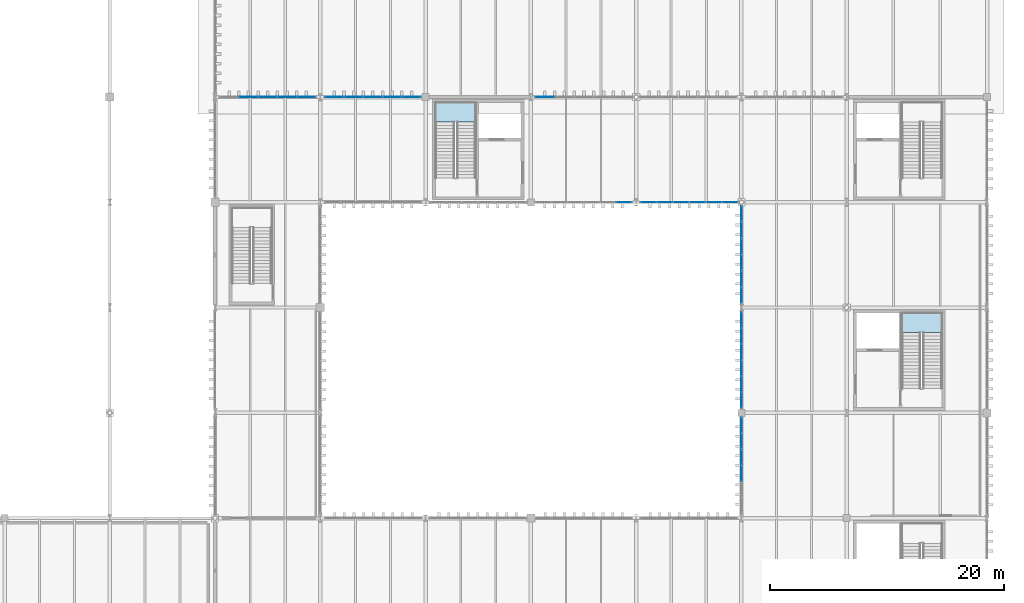
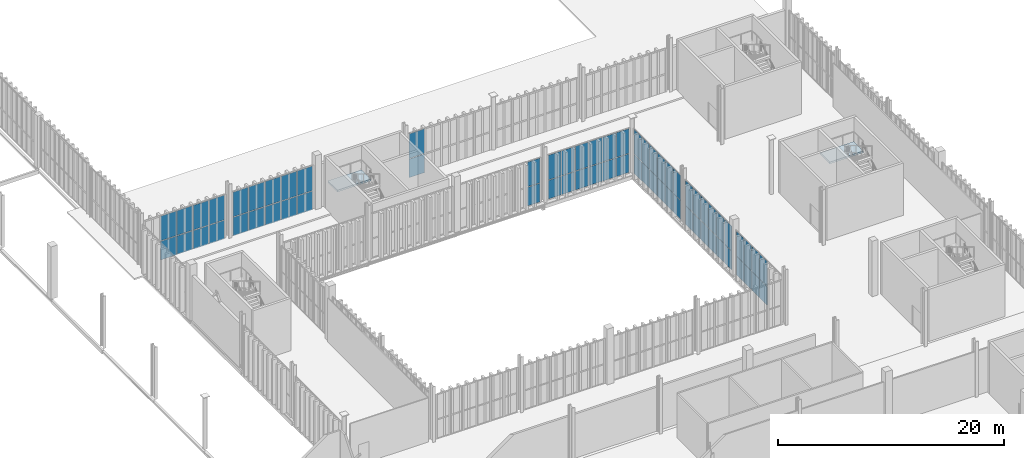
# One storey, part 193 of 237: 66 plates, 2 slabs, 10 elements without a shape of their own.
"""IFC4 building model written with IfcOpenShell, lengths in metres."""

from ifc_helpers import new_model, si_unit, direction, frame, origin, origin_2d, place, context, subcontext, project, spatial, polyline, rectangle, outline, extrude, material, layer, layer_set, type_object, element, aggregate, save


model = new_model("IFC4")

# Units and contexts
model_context = context("Model", 3, precision=1e-05, world=origin(), true_north=direction((0.0, 1.0)))
body_context = subcontext(model_context, "Body", "Model", "MODEL_VIEW")
ifc_project = project(units=[si_unit("LENGTHUNIT", "METRE"), si_unit("AREAUNIT", "SQUARE_METRE"), si_unit("VOLUMEUNIT", "CUBIC_METRE"), si_unit("PLANEANGLEUNIT", "RADIAN"), si_unit("MASSUNIT", "GRAM", prefix="KILO")], contexts=[model_context])

# Site, building, storey
site_placement = place(None, origin())
site = spatial("IfcSite", under=ifc_project, at=site_placement, CompositionType="ELEMENT")
building_placement = place(site_placement, origin())
building = spatial("IfcBuilding", under=site, at=building_placement, Name="Barlavento Convention Centre", CompositionType="ELEMENT")
storey_placement = place(building_placement, frame((0.0, 0.0, 12.0)))
storey = spatial("IfcBuildingStorey", under=building, at=storey_placement, Name="L02", CompositionType="ELEMENT", Elevation=12.0)

# Curtain wall, plates
ifc_material_1 = material(Name="Powder-coated aluminium and Low-E glass", Category="aluminium")
ifc_layer_1 = layer(ifc_material_1, 0.195068359375)
ifc_layer_set_1 = layer_set([ifc_layer_1], Name="ARC-CW-PATIO-A")
curtain_wall_type_1 = type_object("IfcCurtainWallType", Name="ARC-CW-PATIO-A", PredefinedType="NOTDEFINED", material=ifc_layer_set_1)
curtain_wall_1_placement = place(storey_placement, origin())
curtain_wall_1 = element("IfcCurtainWall", 1, at=curtain_wall_1_placement, inside=storey, type_object=curtain_wall_type_1, Name="L02 unitised curtain wall CW11", PredefinedType="NOTDEFINED")
ifc_material_2 = material(Name="Double-silver Low-E insulated glass", Category="glass")
ifc_layer_2 = layer(ifc_material_2, 0.028076171875)
ifc_layer_set_2 = layer_set([ifc_layer_2], Name="ARC-CWP-GLZ28")
plate_type = type_object("IfcPlateType", Name="ARC-CWP-GLZ28", PredefinedType="CURTAIN_PANEL", material=ifc_layer_set_2)
plate_1_placement = place(storey_placement, frame((160.94775390625, 90.0, 0.06005859375), z_axis=(0.0, 0.0, 1.0), x_axis=(1.0, 0.0, 0.0)))
plate_1 = element("IfcPlate", 2, at=plate_1_placement, type_object=plate_type, Name="CW11 panel 6.1", PredefinedType="CURTAIN_PANEL", context=body_context, shape_type="SweptSolid", body=[
    extrude(rectangle(XDim=1.292236328125, YDim=0.028076171875, at=origin_2d()), origin(), (0.0, 0.0, 1.0), 2.010009765625),
])
plate_2_placement = place(storey_placement, frame((160.94775390625, 90.0, 2.1298828125), z_axis=(0.0, 0.0, 1.0), x_axis=(1.0, 0.0, 0.0)))
plate_2 = element("IfcPlate", 3, at=plate_2_placement, type_object=plate_type, Name="CW11 panel 6.2", PredefinedType="CURTAIN_PANEL", context=body_context, shape_type="SweptSolid", body=[
    extrude(rectangle(XDim=1.292236328125, YDim=0.028076171875, at=origin_2d()), origin(), (0.0, 0.0, 1.0), 2.659912109375),
])
aggregate(curtain_wall_1, [plate_1, plate_2])

curtain_wall_2_placement = place(storey_placement, origin())
curtain_wall_2 = element("IfcCurtainWall", 4, at=curtain_wall_2_placement, inside=storey, type_object=curtain_wall_type_1, Name="L02 unitised curtain wall CW11", PredefinedType="NOTDEFINED")
plate_3_placement = place(storey_placement, frame((163.060302734375, 90.0, 0.06005859375), z_axis=(0.0, 0.0, 1.0), x_axis=(1.0, 0.0, 0.0)))
plate_3 = element("IfcPlate", 5, at=plate_3_placement, type_object=plate_type, Name="CW11 panel 1.1", PredefinedType="CURTAIN_PANEL", context=body_context, shape_type="SweptSolid", body=[
    extrude(rectangle(XDim=1.308349609375, YDim=0.028076171875, at=origin_2d()), origin(), (0.0, 0.0, 1.0), 2.010009765625),
])
plate_4_placement = place(storey_placement, frame((163.060302734375, 90.0, 2.1298828125), z_axis=(0.0, 0.0, 1.0), x_axis=(1.0, 0.0, 0.0)))
plate_4 = element("IfcPlate", 6, at=plate_4_placement, type_object=plate_type, Name="CW11 panel 1.2", PredefinedType="CURTAIN_PANEL", context=body_context, shape_type="SweptSolid", body=[
    extrude(rectangle(XDim=1.308349609375, YDim=0.028076171875, at=origin_2d()), origin(), (0.0, 0.0, 1.0), 2.659912109375),
])
plate_5_placement = place(storey_placement, frame((164.443603515625, 90.0, 0.06005859375), z_axis=(0.0, 0.0, 1.0), x_axis=(1.0, 0.0, 0.0)))
plate_5 = element("IfcPlate", 7, at=plate_5_placement, type_object=plate_type, Name="CW11 panel 2.1", PredefinedType="CURTAIN_PANEL", context=body_context, shape_type="SweptSolid", body=[
    extrude(rectangle(XDim=1.33837890625, YDim=0.028076171875, at=origin_2d()), origin(), (0.0, 0.0, 1.0), 2.010009765625),
])
plate_6_placement = place(storey_placement, frame((164.443603515625, 90.0, 2.1298828125), z_axis=(0.0, 0.0, 1.0), x_axis=(1.0, 0.0, 0.0)))
plate_6 = element("IfcPlate", 8, at=plate_6_placement, type_object=plate_type, Name="CW11 panel 2.2", PredefinedType="CURTAIN_PANEL", context=body_context, shape_type="SweptSolid", body=[
    extrude(rectangle(XDim=1.33837890625, YDim=0.028076171875, at=origin_2d()), origin(), (0.0, 0.0, 1.0), 2.659912109375),
])
plate_7_placement = place(storey_placement, frame((165.84228515625, 90.0, 0.06005859375), z_axis=(0.0, 0.0, 1.0), x_axis=(1.0, 0.0, 0.0)))
plate_7 = element("IfcPlate", 9, at=plate_7_placement, type_object=plate_type, Name="CW11 panel 3.1", PredefinedType="CURTAIN_PANEL", context=body_context, shape_type="SweptSolid", body=[
    extrude(rectangle(XDim=1.33837890625, YDim=0.028076171875, at=origin_2d()), origin(), (0.0, 0.0, 1.0), 2.010009765625),
])
plate_8_placement = place(storey_placement, frame((165.84228515625, 90.0, 2.1298828125), z_axis=(0.0, 0.0, 1.0), x_axis=(1.0, 0.0, 0.0)))
plate_8 = element("IfcPlate", 10, at=plate_8_placement, type_object=plate_type, Name="CW11 panel 3.2", PredefinedType="CURTAIN_PANEL", context=body_context, shape_type="SweptSolid", body=[
    extrude(rectangle(XDim=1.33837890625, YDim=0.028076171875, at=origin_2d()), origin(), (0.0, 0.0, 1.0), 2.659912109375),
])
plate_9_placement = place(storey_placement, frame((167.24072265625, 90.0, 0.06005859375), z_axis=(0.0, 0.0, 1.0), x_axis=(1.0, 0.0, 0.0)))
plate_9 = element("IfcPlate", 11, at=plate_9_placement, type_object=plate_type, Name="CW11 panel 4.1", PredefinedType="CURTAIN_PANEL", context=body_context, shape_type="SweptSolid", body=[
    extrude(rectangle(XDim=1.33837890625, YDim=0.028076171875, at=origin_2d()), origin(), (0.0, 0.0, 1.0), 2.010009765625),
])
plate_10_placement = place(storey_placement, frame((167.24072265625, 90.0, 2.1298828125), z_axis=(0.0, 0.0, 1.0), x_axis=(1.0, 0.0, 0.0)))
plate_10 = element("IfcPlate", 12, at=plate_10_placement, type_object=plate_type, Name="CW11 panel 4.2", PredefinedType="CURTAIN_PANEL", context=body_context, shape_type="SweptSolid", body=[
    extrude(rectangle(XDim=1.33837890625, YDim=0.028076171875, at=origin_2d()), origin(), (0.0, 0.0, 1.0), 2.659912109375),
])
plate_11_placement = place(storey_placement, frame((168.63916015625, 90.0, 0.06005859375), z_axis=(0.0, 0.0, 1.0), x_axis=(1.0, 0.0, 0.0)))
plate_11 = element("IfcPlate", 13, at=plate_11_placement, type_object=plate_type, Name="CW11 panel 5.1", PredefinedType="CURTAIN_PANEL", context=body_context, shape_type="SweptSolid", body=[
    extrude(rectangle(XDim=1.33837890625, YDim=0.028076171875, at=origin_2d()), origin(), (0.0, 0.0, 1.0), 2.010009765625),
])
plate_12_placement = place(storey_placement, frame((168.63916015625, 90.0, 2.1298828125), z_axis=(0.0, 0.0, 1.0), x_axis=(1.0, 0.0, 0.0)))
plate_12 = element("IfcPlate", 14, at=plate_12_placement, type_object=plate_type, Name="CW11 panel 5.2", PredefinedType="CURTAIN_PANEL", context=body_context, shape_type="SweptSolid", body=[
    extrude(rectangle(XDim=1.33837890625, YDim=0.028076171875, at=origin_2d()), origin(), (0.0, 0.0, 1.0), 2.659912109375),
])
plate_13_placement = place(storey_placement, frame((170.0224609375, 90.0, 0.06005859375), z_axis=(0.0, 0.0, 1.0), x_axis=(1.0, 0.0, 0.0)))
plate_13 = element("IfcPlate", 15, at=plate_13_placement, type_object=plate_type, Name="CW11 panel 6.1", PredefinedType="CURTAIN_PANEL", context=body_context, shape_type="SweptSolid", body=[
    extrude(rectangle(XDim=1.308349609375, YDim=0.028076171875, at=origin_2d()), origin(), (0.0, 0.0, 1.0), 2.010009765625),
])
plate_14_placement = place(storey_placement, frame((170.0224609375, 90.0, 2.1298828125), z_axis=(0.0, 0.0, 1.0), x_axis=(1.0, 0.0, 0.0)))
plate_14 = element("IfcPlate", 16, at=plate_14_placement, type_object=plate_type, Name="CW11 panel 6.2", PredefinedType="CURTAIN_PANEL", context=body_context, shape_type="SweptSolid", body=[
    extrude(rectangle(XDim=1.308349609375, YDim=0.028076171875, at=origin_2d()), origin(), (0.0, 0.0, 1.0), 2.659912109375),
])
aggregate(curtain_wall_2, [plate_3, plate_4, plate_5, plate_6, plate_7, plate_8, plate_9, plate_10, plate_11, plate_12, plate_13, plate_14])

curtain_wall_3_placement = place(storey_placement, origin())
curtain_wall_3 = element("IfcCurtainWall", 17, at=curtain_wall_3_placement, inside=storey, type_object=curtain_wall_type_1, Name="L02 unitised curtain wall CW11", PredefinedType="NOTDEFINED")
plate_15_placement = place(storey_placement, frame((171.0, 66.81005859375, 0.06005859375), z_axis=(0.0, 0.0, 1.0), x_axis=(0.0, 1.0, 0.0)))
plate_15 = element("IfcPlate", 18, at=plate_15_placement, type_object=plate_type, Name="CW11 panel 3.1", PredefinedType="CURTAIN_PANEL", context=body_context, shape_type="SweptSolid", body=[
    extrude(rectangle(XDim=1.320068359375, YDim=0.028076171875, at=origin_2d()), origin(), (0.0, 0.0, 1.0), 2.010009765625),
])
plate_16_placement = place(storey_placement, frame((171.0, 66.81005859375, 2.1298828125), z_axis=(0.0, 0.0, 1.0), x_axis=(0.0, 1.0, 0.0)))
plate_16 = element("IfcPlate", 19, at=plate_16_placement, type_object=plate_type, Name="CW11 panel 3.2", PredefinedType="CURTAIN_PANEL", context=body_context, shape_type="SweptSolid", body=[
    extrude(rectangle(XDim=1.320068359375, YDim=0.028076171875, at=origin_2d()), origin(), (0.0, 0.0, 1.0), 2.659912109375),
])
plate_17_placement = place(storey_placement, frame((171.0, 68.18994140625, 0.06005859375), z_axis=(0.0, 0.0, 1.0), x_axis=(0.0, 1.0, 0.0)))
plate_17 = element("IfcPlate", 20, at=plate_17_placement, type_object=plate_type, Name="CW11 panel 4.1", PredefinedType="CURTAIN_PANEL", context=body_context, shape_type="SweptSolid", body=[
    extrude(rectangle(XDim=1.320068359375, YDim=0.028076171875, at=origin_2d()), origin(), (0.0, 0.0, 1.0), 2.010009765625),
])
plate_18_placement = place(storey_placement, frame((171.0, 68.18994140625, 2.1298828125), z_axis=(0.0, 0.0, 1.0), x_axis=(0.0, 1.0, 0.0)))
plate_18 = element("IfcPlate", 21, at=plate_18_placement, type_object=plate_type, Name="CW11 panel 4.2", PredefinedType="CURTAIN_PANEL", context=body_context, shape_type="SweptSolid", body=[
    extrude(rectangle(XDim=1.320068359375, YDim=0.028076171875, at=origin_2d()), origin(), (0.0, 0.0, 1.0), 2.659912109375),
])
plate_19_placement = place(storey_placement, frame((171.0, 69.570068359375, 0.06005859375), z_axis=(0.0, 0.0, 1.0), x_axis=(0.0, 1.0, 0.0)))
plate_19 = element("IfcPlate", 22, at=plate_19_placement, type_object=plate_type, Name="CW11 panel 5.1", PredefinedType="CURTAIN_PANEL", context=body_context, shape_type="SweptSolid", body=[
    extrude(rectangle(XDim=1.320068359375, YDim=0.028076171875, at=origin_2d()), origin(), (0.0, 0.0, 1.0), 2.010009765625),
])
plate_20_placement = place(storey_placement, frame((171.0, 69.570068359375, 2.1298828125), z_axis=(0.0, 0.0, 1.0), x_axis=(0.0, 1.0, 0.0)))
plate_20 = element("IfcPlate", 23, at=plate_20_placement, type_object=plate_type, Name="CW11 panel 5.2", PredefinedType="CURTAIN_PANEL", context=body_context, shape_type="SweptSolid", body=[
    extrude(rectangle(XDim=1.320068359375, YDim=0.028076171875, at=origin_2d()), origin(), (0.0, 0.0, 1.0), 2.659912109375),
])
plate_21_placement = place(storey_placement, frame((171.0, 70.93505859375, 0.06005859375), z_axis=(0.0, 0.0, 1.0), x_axis=(0.0, 1.0, 0.0)))
plate_21 = element("IfcPlate", 24, at=plate_21_placement, type_object=plate_type, Name="CW11 panel 6.1", PredefinedType="CURTAIN_PANEL", context=body_context, shape_type="SweptSolid", body=[
    extrude(rectangle(XDim=1.2900390625, YDim=0.028076171875, at=origin_2d()), origin(), (0.0, 0.0, 1.0), 2.010009765625),
])
plate_22_placement = place(storey_placement, frame((171.0, 70.93505859375, 2.1298828125), z_axis=(0.0, 0.0, 1.0), x_axis=(0.0, 1.0, 0.0)))
plate_22 = element("IfcPlate", 25, at=plate_22_placement, type_object=plate_type, Name="CW11 panel 6.2", PredefinedType="CURTAIN_PANEL", context=body_context, shape_type="SweptSolid", body=[
    extrude(rectangle(XDim=1.2900390625, YDim=0.028076171875, at=origin_2d()), origin(), (0.0, 0.0, 1.0), 2.659912109375),
])
aggregate(curtain_wall_3, [plate_15, plate_16, plate_17, plate_18, plate_19, plate_20, plate_21, plate_22])

curtain_wall_4_placement = place(storey_placement, origin())
curtain_wall_4 = element("IfcCurtainWall", 26, at=curtain_wall_4_placement, inside=storey, type_object=curtain_wall_type_1, Name="L02 unitised curtain wall CW11", PredefinedType="NOTDEFINED")
plate_23_placement = place(storey_placement, frame((171.0, 73.066162109375, 0.06005859375), z_axis=(0.0, 0.0, 1.0), x_axis=(0.0, 1.0, 0.0)))
plate_23 = element("IfcPlate", 27, at=plate_23_placement, type_object=plate_type, Name="CW11 panel 1.1", PredefinedType="CURTAIN_PANEL", context=body_context, shape_type="SweptSolid", body=[
    extrude(rectangle(XDim=1.292236328125, YDim=0.028076171875, at=origin_2d()), origin(), (0.0, 0.0, 1.0), 2.010009765625),
])
plate_24_placement = place(storey_placement, frame((171.0, 73.066162109375, 2.1298828125), z_axis=(0.0, 0.0, 1.0), x_axis=(0.0, 1.0, 0.0)))
plate_24 = element("IfcPlate", 28, at=plate_24_placement, type_object=plate_type, Name="CW11 panel 1.2", PredefinedType="CURTAIN_PANEL", context=body_context, shape_type="SweptSolid", body=[
    extrude(rectangle(XDim=1.292236328125, YDim=0.028076171875, at=origin_2d()), origin(), (0.0, 0.0, 1.0), 2.659912109375),
])
plate_25_placement = place(storey_placement, frame((171.0, 74.43359375, 0.06005859375), z_axis=(0.0, 0.0, 1.0), x_axis=(0.0, 1.0, 0.0)))
plate_25 = element("IfcPlate", 29, at=plate_25_placement, type_object=plate_type, Name="CW11 panel 2.1", PredefinedType="CURTAIN_PANEL", context=body_context, shape_type="SweptSolid", body=[
    extrude(rectangle(XDim=1.322265625, YDim=0.028076171875, at=origin_2d()), origin(), (0.0, 0.0, 1.0), 2.010009765625),
])
plate_26_placement = place(storey_placement, frame((171.0, 74.43359375, 2.1298828125), z_axis=(0.0, 0.0, 1.0), x_axis=(0.0, 1.0, 0.0)))
plate_26 = element("IfcPlate", 30, at=plate_26_placement, type_object=plate_type, Name="CW11 panel 2.2", PredefinedType="CURTAIN_PANEL", context=body_context, shape_type="SweptSolid", body=[
    extrude(rectangle(XDim=1.322265625, YDim=0.028076171875, at=origin_2d()), origin(), (0.0, 0.0, 1.0), 2.659912109375),
])
plate_27_placement = place(storey_placement, frame((171.0, 75.81591796875, 0.06005859375), z_axis=(0.0, 0.0, 1.0), x_axis=(0.0, 1.0, 0.0)))
plate_27 = element("IfcPlate", 31, at=plate_27_placement, type_object=plate_type, Name="CW11 panel 3.1", PredefinedType="CURTAIN_PANEL", context=body_context, shape_type="SweptSolid", body=[
    extrude(rectangle(XDim=1.322265625, YDim=0.028076171875, at=origin_2d()), origin(), (0.0, 0.0, 1.0), 2.010009765625),
])
plate_28_placement = place(storey_placement, frame((171.0, 75.81591796875, 2.1298828125), z_axis=(0.0, 0.0, 1.0), x_axis=(0.0, 1.0, 0.0)))
plate_28 = element("IfcPlate", 32, at=plate_28_placement, type_object=plate_type, Name="CW11 panel 3.2", PredefinedType="CURTAIN_PANEL", context=body_context, shape_type="SweptSolid", body=[
    extrude(rectangle(XDim=1.322265625, YDim=0.028076171875, at=origin_2d()), origin(), (0.0, 0.0, 1.0), 2.659912109375),
])
plate_29_placement = place(storey_placement, frame((171.0, 77.1982421875, 0.06005859375), z_axis=(0.0, 0.0, 1.0), x_axis=(0.0, 1.0, 0.0)))
plate_29 = element("IfcPlate", 33, at=plate_29_placement, type_object=plate_type, Name="CW11 panel 4.1", PredefinedType="CURTAIN_PANEL", context=body_context, shape_type="SweptSolid", body=[
    extrude(rectangle(XDim=1.322265625, YDim=0.028076171875, at=origin_2d()), origin(), (0.0, 0.0, 1.0), 2.010009765625),
])
plate_30_placement = place(storey_placement, frame((171.0, 77.1982421875, 2.1298828125), z_axis=(0.0, 0.0, 1.0), x_axis=(0.0, 1.0, 0.0)))
plate_30 = element("IfcPlate", 34, at=plate_30_placement, type_object=plate_type, Name="CW11 panel 4.2", PredefinedType="CURTAIN_PANEL", context=body_context, shape_type="SweptSolid", body=[
    extrude(rectangle(XDim=1.322265625, YDim=0.028076171875, at=origin_2d()), origin(), (0.0, 0.0, 1.0), 2.659912109375),
])
plate_31_placement = place(storey_placement, frame((171.0, 78.58056640625, 0.06005859375), z_axis=(0.0, 0.0, 1.0), x_axis=(0.0, 1.0, 0.0)))
plate_31 = element("IfcPlate", 35, at=plate_31_placement, type_object=plate_type, Name="CW11 panel 5.1", PredefinedType="CURTAIN_PANEL", context=body_context, shape_type="SweptSolid", body=[
    extrude(rectangle(XDim=1.322265625, YDim=0.028076171875, at=origin_2d()), origin(), (0.0, 0.0, 1.0), 2.010009765625),
])
plate_32_placement = place(storey_placement, frame((171.0, 78.58056640625, 2.1298828125), z_axis=(0.0, 0.0, 1.0), x_axis=(0.0, 1.0, 0.0)))
plate_32 = element("IfcPlate", 36, at=plate_32_placement, type_object=plate_type, Name="CW11 panel 5.2", PredefinedType="CURTAIN_PANEL", context=body_context, shape_type="SweptSolid", body=[
    extrude(rectangle(XDim=1.322265625, YDim=0.028076171875, at=origin_2d()), origin(), (0.0, 0.0, 1.0), 2.659912109375),
])
plate_33_placement = place(storey_placement, frame((171.0, 79.94775390625, 0.06005859375), z_axis=(0.0, 0.0, 1.0), x_axis=(0.0, 1.0, 0.0)))
plate_33 = element("IfcPlate", 37, at=plate_33_placement, type_object=plate_type, Name="CW11 panel 6.1", PredefinedType="CURTAIN_PANEL", context=body_context, shape_type="SweptSolid", body=[
    extrude(rectangle(XDim=1.292236328125, YDim=0.028076171875, at=origin_2d()), origin(), (0.0, 0.0, 1.0), 2.010009765625),
])
plate_34_placement = place(storey_placement, frame((171.0, 79.94775390625, 2.1298828125), z_axis=(0.0, 0.0, 1.0), x_axis=(0.0, 1.0, 0.0)))
plate_34 = element("IfcPlate", 38, at=plate_34_placement, type_object=plate_type, Name="CW11 panel 6.2", PredefinedType="CURTAIN_PANEL", context=body_context, shape_type="SweptSolid", body=[
    extrude(rectangle(XDim=1.292236328125, YDim=0.028076171875, at=origin_2d()), origin(), (0.0, 0.0, 1.0), 2.659912109375),
])
aggregate(curtain_wall_4, [plate_23, plate_24, plate_25, plate_26, plate_27, plate_28, plate_29, plate_30, plate_31, plate_32, plate_33, plate_34])

curtain_wall_5_placement = place(storey_placement, origin())
curtain_wall_5 = element("IfcCurtainWall", 39, at=curtain_wall_5_placement, inside=storey, type_object=curtain_wall_type_1, Name="L02 unitised curtain wall CW11", PredefinedType="NOTDEFINED")
plate_35_placement = place(storey_placement, frame((171.0, 82.060302734375, 0.06005859375), z_axis=(0.0, 0.0, 1.0), x_axis=(0.0, 1.0, 0.0)))
plate_35 = element("IfcPlate", 40, at=plate_35_placement, type_object=plate_type, Name="CW11 panel 1.1", PredefinedType="CURTAIN_PANEL", context=body_context, shape_type="SweptSolid", body=[
    extrude(rectangle(XDim=1.308349609375, YDim=0.028076171875, at=origin_2d()), origin(), (0.0, 0.0, 1.0), 2.010009765625),
])
plate_36_placement = place(storey_placement, frame((171.0, 82.060302734375, 2.1298828125), z_axis=(0.0, 0.0, 1.0), x_axis=(0.0, 1.0, 0.0)))
plate_36 = element("IfcPlate", 41, at=plate_36_placement, type_object=plate_type, Name="CW11 panel 1.2", PredefinedType="CURTAIN_PANEL", context=body_context, shape_type="SweptSolid", body=[
    extrude(rectangle(XDim=1.308349609375, YDim=0.028076171875, at=origin_2d()), origin(), (0.0, 0.0, 1.0), 2.659912109375),
])
plate_37_placement = place(storey_placement, frame((171.0, 83.443603515625, 0.06005859375), z_axis=(0.0, 0.0, 1.0), x_axis=(0.0, 1.0, 0.0)))
plate_37 = element("IfcPlate", 42, at=plate_37_placement, type_object=plate_type, Name="CW11 panel 2.1", PredefinedType="CURTAIN_PANEL", context=body_context, shape_type="SweptSolid", body=[
    extrude(rectangle(XDim=1.33837890625, YDim=0.028076171875, at=origin_2d()), origin(), (0.0, 0.0, 1.0), 2.010009765625),
])
plate_38_placement = place(storey_placement, frame((171.0, 83.443603515625, 2.1298828125), z_axis=(0.0, 0.0, 1.0), x_axis=(0.0, 1.0, 0.0)))
plate_38 = element("IfcPlate", 43, at=plate_38_placement, type_object=plate_type, Name="CW11 panel 2.2", PredefinedType="CURTAIN_PANEL", context=body_context, shape_type="SweptSolid", body=[
    extrude(rectangle(XDim=1.33837890625, YDim=0.028076171875, at=origin_2d()), origin(), (0.0, 0.0, 1.0), 2.659912109375),
])
plate_39_placement = place(storey_placement, frame((171.0, 84.84228515625, 0.06005859375), z_axis=(0.0, 0.0, 1.0), x_axis=(0.0, 1.0, 0.0)))
plate_39 = element("IfcPlate", 44, at=plate_39_placement, type_object=plate_type, Name="CW11 panel 3.1", PredefinedType="CURTAIN_PANEL", context=body_context, shape_type="SweptSolid", body=[
    extrude(rectangle(XDim=1.33837890625, YDim=0.028076171875, at=origin_2d()), origin(), (0.0, 0.0, 1.0), 2.010009765625),
])
plate_40_placement = place(storey_placement, frame((171.0, 84.84228515625, 2.1298828125), z_axis=(0.0, 0.0, 1.0), x_axis=(0.0, 1.0, 0.0)))
plate_40 = element("IfcPlate", 45, at=plate_40_placement, type_object=plate_type, Name="CW11 panel 3.2", PredefinedType="CURTAIN_PANEL", context=body_context, shape_type="SweptSolid", body=[
    extrude(rectangle(XDim=1.33837890625, YDim=0.028076171875, at=origin_2d()), origin(), (0.0, 0.0, 1.0), 2.659912109375),
])
plate_41_placement = place(storey_placement, frame((171.0, 86.24072265625, 0.06005859375), z_axis=(0.0, 0.0, 1.0), x_axis=(0.0, 1.0, 0.0)))
plate_41 = element("IfcPlate", 46, at=plate_41_placement, type_object=plate_type, Name="CW11 panel 4.1", PredefinedType="CURTAIN_PANEL", context=body_context, shape_type="SweptSolid", body=[
    extrude(rectangle(XDim=1.33837890625, YDim=0.028076171875, at=origin_2d()), origin(), (0.0, 0.0, 1.0), 2.010009765625),
])
plate_42_placement = place(storey_placement, frame((171.0, 86.24072265625, 2.1298828125), z_axis=(0.0, 0.0, 1.0), x_axis=(0.0, 1.0, 0.0)))
plate_42 = element("IfcPlate", 47, at=plate_42_placement, type_object=plate_type, Name="CW11 panel 4.2", PredefinedType="CURTAIN_PANEL", context=body_context, shape_type="SweptSolid", body=[
    extrude(rectangle(XDim=1.33837890625, YDim=0.028076171875, at=origin_2d()), origin(), (0.0, 0.0, 1.0), 2.659912109375),
])
plate_43_placement = place(storey_placement, frame((171.0, 87.63916015625, 0.06005859375), z_axis=(0.0, 0.0, 1.0), x_axis=(0.0, 1.0, 0.0)))
plate_43 = element("IfcPlate", 48, at=plate_43_placement, type_object=plate_type, Name="CW11 panel 5.1", PredefinedType="CURTAIN_PANEL", context=body_context, shape_type="SweptSolid", body=[
    extrude(rectangle(XDim=1.33837890625, YDim=0.028076171875, at=origin_2d()), origin(), (0.0, 0.0, 1.0), 2.010009765625),
])
plate_44_placement = place(storey_placement, frame((171.0, 87.63916015625, 2.1298828125), z_axis=(0.0, 0.0, 1.0), x_axis=(0.0, 1.0, 0.0)))
plate_44 = element("IfcPlate", 49, at=plate_44_placement, type_object=plate_type, Name="CW11 panel 5.2", PredefinedType="CURTAIN_PANEL", context=body_context, shape_type="SweptSolid", body=[
    extrude(rectangle(XDim=1.33837890625, YDim=0.028076171875, at=origin_2d()), origin(), (0.0, 0.0, 1.0), 2.659912109375),
])
plate_45_placement = place(storey_placement, frame((171.0, 89.0224609375, 0.06005859375), z_axis=(0.0, 0.0, 1.0), x_axis=(0.0, 1.0, 0.0)))
plate_45 = element("IfcPlate", 50, at=plate_45_placement, type_object=plate_type, Name="CW11 panel 6.1", PredefinedType="CURTAIN_PANEL", context=body_context, shape_type="SweptSolid", body=[
    extrude(rectangle(XDim=1.308349609375, YDim=0.028076171875, at=origin_2d()), origin(), (0.0, 0.0, 1.0), 2.010009765625),
])
plate_46_placement = place(storey_placement, frame((171.0, 89.0224609375, 2.1298828125), z_axis=(0.0, 0.0, 1.0), x_axis=(0.0, 1.0, 0.0)))
plate_46 = element("IfcPlate", 51, at=plate_46_placement, type_object=plate_type, Name="CW11 panel 6.2", PredefinedType="CURTAIN_PANEL", context=body_context, shape_type="SweptSolid", body=[
    extrude(rectangle(XDim=1.308349609375, YDim=0.028076171875, at=origin_2d()), origin(), (0.0, 0.0, 1.0), 2.659912109375),
])
aggregate(curtain_wall_5, [plate_35, plate_36, plate_37, plate_38, plate_39, plate_40, plate_41, plate_42, plate_43, plate_44, plate_45, plate_46])

ifc_layer_3 = layer(ifc_material_1, 0.195068359375)
ifc_layer_set_3 = layer_set([ifc_layer_3], Name="ARC-CW-BALL-L02")
curtain_wall_type_2 = type_object("IfcCurtainWallType", Name="ARC-CW-BALL-L02", PredefinedType="NOTDEFINED", material=ifc_layer_set_3)
curtain_wall_6_placement = place(storey_placement, origin())
curtain_wall_6 = element("IfcCurtainWall", 52, at=curtain_wall_6_placement, inside=storey, type_object=curtain_wall_type_2, Name="L02 unitised curtain wall CW07", PredefinedType="NOTDEFINED")
plate_47_placement = place(storey_placement, frame((128.85498046875, 99.0, 0.06005859375), z_axis=(0.0, 0.0, 1.0), x_axis=(1.0, 0.0, 0.0)))
plate_47 = element("IfcPlate", 53, at=plate_47_placement, type_object=plate_type, Name="CW07 panel 2.1", PredefinedType="CURTAIN_PANEL", context=body_context, shape_type="SweptSolid", body=[
    extrude(rectangle(XDim=1.590087890625, YDim=0.028076171875, at=origin_2d()), origin(), (0.0, 0.0, 1.0), 2.010009765625),
])
plate_48_placement = place(storey_placement, frame((128.85498046875, 99.0, 2.1298828125), z_axis=(0.0, 0.0, 1.0), x_axis=(1.0, 0.0, 0.0)))
plate_48 = element("IfcPlate", 54, at=plate_48_placement, type_object=plate_type, Name="CW07 panel 2.2", PredefinedType="CURTAIN_PANEL", context=body_context, shape_type="SweptSolid", body=[
    extrude(rectangle(XDim=1.590087890625, YDim=0.028076171875, at=origin_2d()), origin(), (0.0, 0.0, 1.0), 2.659912109375),
])
plate_49_placement = place(storey_placement, frame((130.5048828125, 99.0, 0.06005859375), z_axis=(0.0, 0.0, 1.0), x_axis=(1.0, 0.0, 0.0)))
plate_49 = element("IfcPlate", 55, at=plate_49_placement, type_object=plate_type, Name="CW07 panel 3.1", PredefinedType="CURTAIN_PANEL", context=body_context, shape_type="SweptSolid", body=[
    extrude(rectangle(XDim=1.590087890625, YDim=0.028076171875, at=origin_2d()), origin(), (0.0, 0.0, 1.0), 2.010009765625),
])
plate_50_placement = place(storey_placement, frame((130.5048828125, 99.0, 2.1298828125), z_axis=(0.0, 0.0, 1.0), x_axis=(1.0, 0.0, 0.0)))
plate_50 = element("IfcPlate", 56, at=plate_50_placement, type_object=plate_type, Name="CW07 panel 3.2", PredefinedType="CURTAIN_PANEL", context=body_context, shape_type="SweptSolid", body=[
    extrude(rectangle(XDim=1.590087890625, YDim=0.028076171875, at=origin_2d()), origin(), (0.0, 0.0, 1.0), 2.659912109375),
])
plate_51_placement = place(storey_placement, frame((132.155029296875, 99.0, 0.06005859375), z_axis=(0.0, 0.0, 1.0), x_axis=(1.0, 0.0, 0.0)))
plate_51 = element("IfcPlate", 57, at=plate_51_placement, type_object=plate_type, Name="CW07 panel 4.1", PredefinedType="CURTAIN_PANEL", context=body_context, shape_type="SweptSolid", body=[
    extrude(rectangle(XDim=1.590087890625, YDim=0.028076171875, at=origin_2d()), origin(), (0.0, 0.0, 1.0), 2.010009765625),
])
plate_52_placement = place(storey_placement, frame((132.155029296875, 99.0, 2.1298828125), z_axis=(0.0, 0.0, 1.0), x_axis=(1.0, 0.0, 0.0)))
plate_52 = element("IfcPlate", 58, at=plate_52_placement, type_object=plate_type, Name="CW07 panel 4.2", PredefinedType="CURTAIN_PANEL", context=body_context, shape_type="SweptSolid", body=[
    extrude(rectangle(XDim=1.590087890625, YDim=0.028076171875, at=origin_2d()), origin(), (0.0, 0.0, 1.0), 2.659912109375),
])
plate_53_placement = place(storey_placement, frame((133.7900390625, 99.0, 0.06005859375), z_axis=(0.0, 0.0, 1.0), x_axis=(1.0, 0.0, 0.0)))
plate_53 = element("IfcPlate", 59, at=plate_53_placement, type_object=plate_type, Name="CW07 panel 5.1", PredefinedType="CURTAIN_PANEL", context=body_context, shape_type="SweptSolid", body=[
    extrude(rectangle(XDim=1.56005859375, YDim=0.028076171875, at=origin_2d()), origin(), (0.0, 0.0, 1.0), 2.010009765625),
])
plate_54_placement = place(storey_placement, frame((133.7900390625, 99.0, 2.1298828125), z_axis=(0.0, 0.0, 1.0), x_axis=(1.0, 0.0, 0.0)))
plate_54 = element("IfcPlate", 60, at=plate_54_placement, type_object=plate_type, Name="CW07 panel 5.2", PredefinedType="CURTAIN_PANEL", context=body_context, shape_type="SweptSolid", body=[
    extrude(rectangle(XDim=1.56005859375, YDim=0.028076171875, at=origin_2d()), origin(), (0.0, 0.0, 1.0), 2.659912109375),
])
aggregate(curtain_wall_6, [plate_47, plate_48, plate_49, plate_50, plate_51, plate_52, plate_53, plate_54])

curtain_wall_7_placement = place(storey_placement, origin())
curtain_wall_7 = element("IfcCurtainWall", 61, at=curtain_wall_7_placement, inside=storey, type_object=curtain_wall_type_2, Name="L02 unitised curtain wall CW07", PredefinedType="NOTDEFINED")
plate_55_placement = place(storey_placement, frame((136.2109375, 99.0, 0.06005859375), z_axis=(0.0, 0.0, 1.0), x_axis=(1.0, 0.0, 0.0)))
plate_55 = element("IfcPlate", 62, at=plate_55_placement, type_object=plate_type, Name="CW07 panel 1.1", PredefinedType="CURTAIN_PANEL", context=body_context, shape_type="SweptSolid", body=[
    extrude(rectangle(XDim=1.56201171875, YDim=0.028076171875, at=origin_2d()), origin(), (0.0, 0.0, 1.0), 2.010009765625),
])
plate_56_placement = place(storey_placement, frame((136.2109375, 99.0, 2.1298828125), z_axis=(0.0, 0.0, 1.0), x_axis=(1.0, 0.0, 0.0)))
plate_56 = element("IfcPlate", 63, at=plate_56_placement, type_object=plate_type, Name="CW07 panel 1.2", PredefinedType="CURTAIN_PANEL", context=body_context, shape_type="SweptSolid", body=[
    extrude(rectangle(XDim=1.56201171875, YDim=0.028076171875, at=origin_2d()), origin(), (0.0, 0.0, 1.0), 2.659912109375),
])
plate_57_placement = place(storey_placement, frame((137.847900390625, 99.0, 0.06005859375), z_axis=(0.0, 0.0, 1.0), x_axis=(1.0, 0.0, 0.0)))
plate_57 = element("IfcPlate", 64, at=plate_57_placement, type_object=plate_type, Name="CW07 panel 2.1", PredefinedType="CURTAIN_PANEL", context=body_context, shape_type="SweptSolid", body=[
    extrude(rectangle(XDim=1.592041015625, YDim=0.028076171875, at=origin_2d()), origin(), (0.0, 0.0, 1.0), 2.010009765625),
])
plate_58_placement = place(storey_placement, frame((137.847900390625, 99.0, 2.1298828125), z_axis=(0.0, 0.0, 1.0), x_axis=(1.0, 0.0, 0.0)))
plate_58 = element("IfcPlate", 65, at=plate_58_placement, type_object=plate_type, Name="CW07 panel 2.2", PredefinedType="CURTAIN_PANEL", context=body_context, shape_type="SweptSolid", body=[
    extrude(rectangle(XDim=1.592041015625, YDim=0.028076171875, at=origin_2d()), origin(), (0.0, 0.0, 1.0), 2.659912109375),
])
plate_59_placement = place(storey_placement, frame((139.5, 99.0, 0.06005859375), z_axis=(0.0, 0.0, 1.0), x_axis=(1.0, 0.0, 0.0)))
plate_59 = element("IfcPlate", 66, at=plate_59_placement, type_object=plate_type, Name="CW07 panel 3.1", PredefinedType="CURTAIN_PANEL", context=body_context, shape_type="SweptSolid", body=[
    extrude(rectangle(XDim=1.592041015625, YDim=0.028076171875, at=origin_2d()), origin(), (0.0, 0.0, 1.0), 2.010009765625),
])
plate_60_placement = place(storey_placement, frame((139.5, 99.0, 2.1298828125), z_axis=(0.0, 0.0, 1.0), x_axis=(1.0, 0.0, 0.0)))
plate_60 = element("IfcPlate", 67, at=plate_60_placement, type_object=plate_type, Name="CW07 panel 3.2", PredefinedType="CURTAIN_PANEL", context=body_context, shape_type="SweptSolid", body=[
    extrude(rectangle(XDim=1.592041015625, YDim=0.028076171875, at=origin_2d()), origin(), (0.0, 0.0, 1.0), 2.659912109375),
])
plate_61_placement = place(storey_placement, frame((141.152099609375, 99.0, 0.06005859375), z_axis=(0.0, 0.0, 1.0), x_axis=(1.0, 0.0, 0.0)))
plate_61 = element("IfcPlate", 68, at=plate_61_placement, type_object=plate_type, Name="CW07 panel 4.1", PredefinedType="CURTAIN_PANEL", context=body_context, shape_type="SweptSolid", body=[
    extrude(rectangle(XDim=1.592041015625, YDim=0.028076171875, at=origin_2d()), origin(), (0.0, 0.0, 1.0), 2.010009765625),
])
plate_62_placement = place(storey_placement, frame((141.152099609375, 99.0, 2.1298828125), z_axis=(0.0, 0.0, 1.0), x_axis=(1.0, 0.0, 0.0)))
plate_62 = element("IfcPlate", 69, at=plate_62_placement, type_object=plate_type, Name="CW07 panel 4.2", PredefinedType="CURTAIN_PANEL", context=body_context, shape_type="SweptSolid", body=[
    extrude(rectangle(XDim=1.592041015625, YDim=0.028076171875, at=origin_2d()), origin(), (0.0, 0.0, 1.0), 2.659912109375),
])
plate_63_placement = place(storey_placement, frame((142.7890625, 99.0, 0.06005859375), z_axis=(0.0, 0.0, 1.0), x_axis=(1.0, 0.0, 0.0)))
plate_63 = element("IfcPlate", 70, at=plate_63_placement, type_object=plate_type, Name="CW07 panel 5.1", PredefinedType="CURTAIN_PANEL", context=body_context, shape_type="SweptSolid", body=[
    extrude(rectangle(XDim=1.56201171875, YDim=0.028076171875, at=origin_2d()), origin(), (0.0, 0.0, 1.0), 2.010009765625),
])
plate_64_placement = place(storey_placement, frame((142.7890625, 99.0, 2.1298828125), z_axis=(0.0, 0.0, 1.0), x_axis=(1.0, 0.0, 0.0)))
plate_64 = element("IfcPlate", 71, at=plate_64_placement, type_object=plate_type, Name="CW07 panel 5.2", PredefinedType="CURTAIN_PANEL", context=body_context, shape_type="SweptSolid", body=[
    extrude(rectangle(XDim=1.56201171875, YDim=0.028076171875, at=origin_2d()), origin(), (0.0, 0.0, 1.0), 2.659912109375),
])
aggregate(curtain_wall_7, [plate_55, plate_56, plate_57, plate_58, plate_59, plate_60, plate_61, plate_62, plate_63, plate_64])

curtain_wall_8_placement = place(storey_placement, origin())
curtain_wall_8 = element("IfcCurtainWall", 72, at=curtain_wall_8_placement, inside=storey, type_object=curtain_wall_type_2, Name="L02 unitised curtain wall CW07", PredefinedType="NOTDEFINED")
plate_65_placement = place(storey_placement, frame((154.2080078125, 99.0, 0.06005859375), z_axis=(0.0, 0.0, 1.0), x_axis=(1.0, 0.0, 0.0)))
plate_65 = element("IfcPlate", 73, at=plate_65_placement, type_object=plate_type, Name="CW07 panel 1.1", PredefinedType="CURTAIN_PANEL", context=body_context, shape_type="SweptSolid", body=[
    extrude(rectangle(XDim=1.584228515625, YDim=0.028076171875, at=origin_2d()), origin(), (0.0, 0.0, 1.0), 2.010009765625),
])
plate_66_placement = place(storey_placement, frame((154.2080078125, 99.0, 2.1298828125), z_axis=(0.0, 0.0, 1.0), x_axis=(1.0, 0.0, 0.0)))
plate_66 = element("IfcPlate", 74, at=plate_66_placement, type_object=plate_type, Name="CW07 panel 1.2", PredefinedType="CURTAIN_PANEL", context=body_context, shape_type="SweptSolid", body=[
    extrude(rectangle(XDim=1.584228515625, YDim=0.028076171875, at=origin_2d()), origin(), (0.0, 0.0, 1.0), 2.659912109375),
])
aggregate(curtain_wall_8, [plate_65, plate_66])

# Stair, slab
ifc_material_3 = material(Name="Concrete C40/50", Category="concrete")
stair_type = type_object("IfcStairType", Name="ARC-STR-DOG-1620", PredefinedType="HALF_TURN_STAIR", material=ifc_material_3)
stair_1_placement = place(storey_placement, origin())
stair_1 = element("IfcStair", 75, at=stair_1_placement, inside=storey, type_object=stair_type, Name="L02 ST07", PredefinedType="HALF_TURN_STAIR")
ifc_layer_4 = layer(ifc_material_3, 0.199951171875)
ifc_layer_set_4 = layer_set([ifc_layer_4], Name="ARC-SLB-LND-200")
slab_type = type_object("IfcSlabType", Name="ARC-SLB-LND-200", PredefinedType="LANDING", material=ifc_layer_set_4)
slab_1_placement = place(storey_placement, frame((0.0, 0.0, 2.800048828125)))
slab_1 = element("IfcSlab", 76, at=slab_1_placement, type_object=slab_type, Name="ST07 landing 1", PredefinedType="LANDING", context=body_context, shape_type="SweptSolid", body=[
    extrude(outline(polyline([(188.14990234375, 78.85009765625), (188.14990234375, 80.530029296875), (184.7099609375, 80.530029296875), (184.7099609375, 78.85009765625), (188.14990234375, 78.85009765625)])), origin(), (0.0, 0.0, 1.0), 0.199951171875),
])
aggregate(stair_1, [slab_1])

stair_2_placement = place(storey_placement, origin())
stair_2 = element("IfcStair", 77, at=stair_2_placement, inside=storey, type_object=stair_type, Name="L02 ST09", PredefinedType="HALF_TURN_STAIR")
slab_2_placement = place(storey_placement, frame((0.0, 0.0, 2.800048828125)))
slab_2 = element("IfcSlab", 78, at=slab_2_placement, type_object=slab_type, Name="ST09 landing 1", PredefinedType="LANDING", context=body_context, shape_type="SweptSolid", body=[
    extrude(outline(polyline([(148.2900390625, 96.85009765625), (148.2900390625, 98.530029296875), (144.85009765625, 98.530029296875), (144.85009765625, 96.85009765625), (148.2900390625, 96.85009765625)])), origin(), (0.0, 0.0, 1.0), 0.199951171875),
])
aggregate(stair_2, [slab_2])

save(model, "model.ifc")
